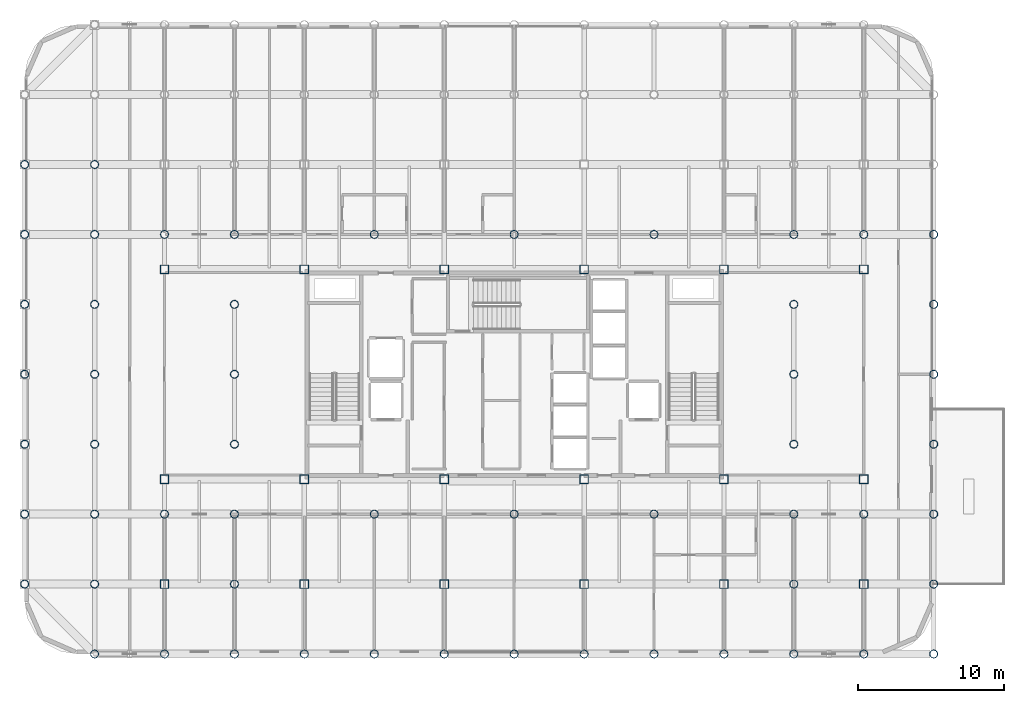
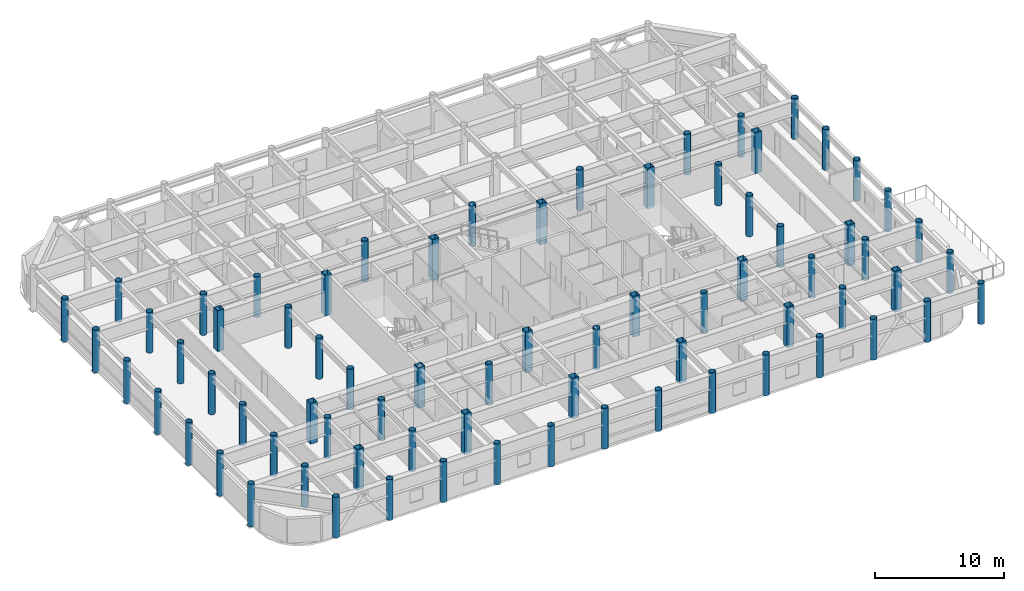
# One storey, part 1 of 25: 73 columns.
"""IFC4 building model written with IfcOpenShell, lengths in metres."""

from ifc_helpers import new_model, si_unit, direction, frame, origin, origin_2d, place, context, subcontext, project, spatial, hollow_rectangle, hollow_circle, extrude, material, material_profile, profile_set, type_object, element, save


model = new_model("IFC4")

# Units and contexts
model_context = context("Model", 3, precision=1e-05, world=origin(), true_north=direction((0.0, 1.0)))
body_context = subcontext(model_context, "Body", "Model", "MODEL_VIEW")
ifc_project = project(units=[si_unit("LENGTHUNIT", "METRE"), si_unit("AREAUNIT", "SQUARE_METRE"), si_unit("VOLUMEUNIT", "CUBIC_METRE"), si_unit("PLANEANGLEUNIT", "RADIAN"), si_unit("MASSUNIT", "GRAM", prefix="KILO")], contexts=[model_context])

# Site, building, storey
site_placement = place(None, origin())
site = spatial("IfcSite", under=ifc_project, at=site_placement, CompositionType="ELEMENT")
building_placement = place(site_placement, origin())
building = spatial("IfcBuilding", under=site, at=building_placement, Name="Kallvorn Hotel Tower", CompositionType="ELEMENT")
storey_placement = place(building_placement, frame((0.0, 0.0, 249.25)))
storey = spatial("IfcBuildingStorey", under=building, at=storey_placement, Name="L62", CompositionType="ELEMENT", Elevation=249.25)

# Columns
ifc_material_1 = material(Name="Structural steel S355J2H", Category="steel")
ifc_material_profile_1 = material_profile(ifc_material_1, hollow_circle(Radius=0.279541015625, WallThickness=0.02490234375, at=origin_2d()), Name="CHS 559x25")
ifc_profile_set_1 = profile_set([ifc_material_profile_1], Name="Structural steel S355J2H")
column_type_1 = type_object("IfcColumnType", Name="COL_CHS_559", PredefinedType="COLUMN", material=ifc_profile_set_1)
for number, where, z_axis, x_axis, name in (
    (1, (-33.60009765625, -14.39990234375, -0.179931640625), (0.0, 0.0, 1.0), (1.0, 0.0, 0.0), "L62 Exoskeleton Column EC01"),
    (2, (-33.60009765625, -9.60009765625, -0.179931640625), (0.0, 0.0, 1.0), (1.0, 0.0, 0.0), "L62 Exoskeleton Column EC02"),
    (3, (-33.60009765625, -4.800048828125, -0.179931640625), (0.0, 0.0, 1.0), (1.0, 0.0, 0.0), "L62 Exoskeleton Column EC03"),
    (4, (-33.60009765625, 0.0, -0.179931640625), (0.0, 0.0, 1.0), (1.0, 0.0, 0.0), "L62 Exoskeleton Column EC04"),
    (5, (-33.60009765625, 4.800048828125, -0.179931640625), (0.0, 0.0, 1.0), (1.0, 0.0, 0.0), "L62 Exoskeleton Column EC05"),
    (6, (-33.60009765625, 9.60009765625, -0.179931640625), (0.0, 0.0, 1.0), (1.0, 0.0, 0.0), "L62 Exoskeleton Column EC06"),
    (7, (-33.60009765625, 14.39990234375, -0.179931640625), (0.0, 0.0, 1.0), (1.0, 0.0, 0.0), "L62 Exoskeleton Column EC07"),
):
    element("IfcColumn", number, at=place(storey_placement, frame(where, z_axis=z_axis, x_axis=x_axis)), inside=storey, type_object=column_type_1, Name=name, PredefinedType="COLUMN", context=body_context, shape_type="SweptSolid", body=[
        extrude(hollow_circle(Radius=0.279541015625, WallThickness=0.02490234375, at=origin_2d()), origin(), (0.0, 0.0, 1.0), 4.030029296875),
    ])
for number, where, z_axis, x_axis, name in (
    (8, (-28.800048828125, -19.199951171875, 0.0), (0.0, 0.0, 1.0), (1.0, 0.0, 0.0), "L62 Exoskeleton Column EC09"),
    (9, (-28.800048828125, -14.39990234375, 0.0), (0.0, 0.0, 1.0), (1.0, 0.0, 0.0), "L62 Exoskeleton Column EC10"),
    (10, (-28.800048828125, -9.60009765625, 0.0), (0.0, 0.0, 1.0), (1.0, 0.0, 0.0), "L62 Exoskeleton Column EC11"),
    (11, (-28.800048828125, -4.800048828125, 0.0), (0.0, 0.0, 1.0), (1.0, 0.0, 0.0), "L62 Exoskeleton Column EC12"),
    (12, (-28.800048828125, 0.0, 0.0), (0.0, 0.0, 1.0), (1.0, 0.0, 0.0), "L62 Exoskeleton Column EC13"),
    (13, (-28.800048828125, 4.800048828125, 0.0), (0.0, 0.0, 1.0), (1.0, 0.0, 0.0), "L62 Exoskeleton Column EC14"),
    (14, (-28.800048828125, 9.60009765625, 0.0), (0.0, 0.0, 1.0), (1.0, 0.0, 0.0), "L62 Exoskeleton Column EC15"),
    (15, (-28.800048828125, 14.39990234375, 0.0), (0.0, 0.0, 1.0), (1.0, 0.0, 0.0), "L62 Exoskeleton Column EC16"),
    (16, (-24.0, -19.199951171875, 0.0), (0.0, 0.0, 1.0), (1.0, 0.0, 0.0), "L62 Exoskeleton Column EC19"),
    (17, (-24.0, -9.60009765625, 0.0), (0.0, 0.0, 1.0), (1.0, 0.0, 0.0), "L62 Exoskeleton Column EC20"),
    (18, (-24.0, 9.60009765625, 0.0), (0.0, 0.0, 1.0), (1.0, 0.0, 0.0), "L62 Exoskeleton Column EC21"),
    (19, (-19.199951171875, -19.199951171875, 0.0), (0.0, 0.0, 1.0), (1.0, 0.0, 0.0), "L62 Exoskeleton Column EC24"),
    (20, (-19.199951171875, -14.39990234375, 0.0), (0.0, 0.0, 1.0), (1.0, 0.0, 0.0), "L62 Exoskeleton Column EC25"),
    (21, (-19.199951171875, -9.60009765625, 0.0), (0.0, 0.0, 1.0), (1.0, 0.0, 0.0), "L62 Exoskeleton Column EC26"),
    (22, (-19.199951171875, -4.800048828125, 0.0), (0.0, 0.0, 1.0), (1.0, 0.0, 0.0), "L62 Exoskeleton Column EC27"),
    (23, (-19.199951171875, 0.0, 0.0), (0.0, 0.0, 1.0), (1.0, 0.0, 0.0), "L62 Exoskeleton Column EC28"),
    (24, (-19.199951171875, 4.800048828125, 0.0), (0.0, 0.0, 1.0), (1.0, 0.0, 0.0), "L62 Exoskeleton Column EC29"),
    (25, (-19.199951171875, 9.60009765625, 0.0), (0.0, 0.0, 1.0), (1.0, 0.0, 0.0), "L62 Exoskeleton Column EC30"),
    (26, (-14.39990234375, -19.199951171875, 0.0), (0.0, 0.0, 1.0), (1.0, 0.0, 0.0), "L62 Exoskeleton Column EC34"),
    (27, (-9.60009765625, -19.199951171875, 0.0), (0.0, 0.0, 1.0), (1.0, 0.0, 0.0), "L62 Exoskeleton Column EC37"),
    (28, (-9.60009765625, -9.60009765625, 0.0), (0.0, 0.0, 1.0), (1.0, 0.0, 0.0), "L62 Exoskeleton Column EC38"),
    (29, (-9.60009765625, 9.60009765625, 0.0), (0.0, 0.0, 1.0), (1.0, 0.0, 0.0), "L62 Exoskeleton Column EC39"),
    (30, (-4.800048828125, -19.199951171875, 0.0), (0.0, 0.0, 1.0), (1.0, 0.0, 0.0), "L62 Exoskeleton Column EC42"),
    (31, (0.0, -19.199951171875, 0.0), (0.0, 0.0, 1.0), (1.0, 0.0, 0.0), "L62 Exoskeleton Column EC45"),
    (32, (0.0, -9.60009765625, 0.0), (0.0, 0.0, 1.0), (1.0, 0.0, 0.0), "L62 Exoskeleton Column EC46"),
    (33, (0.0, 9.60009765625, 0.0), (0.0, 0.0, 1.0), (1.0, 0.0, 0.0), "L62 Exoskeleton Column EC47"),
    (34, (4.800048828125, -19.199951171875, 0.0), (0.0, 0.0, 1.0), (1.0, 0.0, 0.0), "L62 Exoskeleton Column EC50"),
    (35, (9.60009765625, -19.199951171875, 0.0), (0.0, 0.0, 1.0), (1.0, 0.0, 0.0), "L62 Exoskeleton Column EC53"),
    (36, (9.60009765625, -9.60009765625, 0.0), (0.0, 0.0, 1.0), (1.0, 0.0, 0.0), "L62 Exoskeleton Column EC54"),
    (37, (9.60009765625, 9.60009765625, 0.0), (0.0, 0.0, 1.0), (1.0, 0.0, 0.0), "L62 Exoskeleton Column EC55"),
    (38, (14.39990234375, -19.199951171875, 0.0), (0.0, 0.0, 1.0), (1.0, 0.0, 0.0), "L62 Exoskeleton Column EC58"),
    (39, (19.199951171875, -19.199951171875, 0.0), (0.0, 0.0, 1.0), (1.0, 0.0, 0.0), "L62 Exoskeleton Column EC61"),
    (40, (19.199951171875, -14.39990234375, 0.0), (0.0, 0.0, 1.0), (1.0, 0.0, 0.0), "L62 Exoskeleton Column EC62"),
    (41, (19.199951171875, -9.60009765625, 0.0), (0.0, 0.0, 1.0), (1.0, 0.0, 0.0), "L62 Exoskeleton Column EC63"),
    (42, (19.199951171875, -4.800048828125, 0.0), (0.0, 0.0, 1.0), (1.0, 0.0, 0.0), "L62 Exoskeleton Column EC64"),
    (43, (19.199951171875, 0.0, 0.0), (0.0, 0.0, 1.0), (1.0, 0.0, 0.0), "L62 Exoskeleton Column EC65"),
    (44, (19.199951171875, 4.800048828125, 0.0), (0.0, 0.0, 1.0), (1.0, 0.0, 0.0), "L62 Exoskeleton Column EC66"),
    (45, (19.199951171875, 9.60009765625, 0.0), (0.0, 0.0, 1.0), (1.0, 0.0, 0.0), "L62 Exoskeleton Column EC67"),
    (46, (24.0, -19.199951171875, 0.0), (0.0, 0.0, 1.0), (1.0, 0.0, 0.0), "L62 Exoskeleton Column EC71"),
    (47, (24.0, -9.60009765625, 0.0), (0.0, 0.0, 1.0), (1.0, 0.0, 0.0), "L62 Exoskeleton Column EC72"),
    (48, (24.0, 9.60009765625, 0.0), (0.0, 0.0, 1.0), (1.0, 0.0, 0.0), "L62 Exoskeleton Column EC73"),
    (49, (28.800048828125, -19.199951171875, 0.0), (0.0, 0.0, 1.0), (1.0, 0.0, 0.0), "L62 Exoskeleton Column EC76"),
    (50, (28.800048828125, -14.39990234375, 0.0), (0.0, 0.0, 1.0), (1.0, 0.0, 0.0), "L62 Exoskeleton Column EC77"),
    (51, (28.800048828125, -9.60009765625, 0.0), (0.0, 0.0, 1.0), (1.0, 0.0, 0.0), "L62 Exoskeleton Column EC78"),
    (52, (28.800048828125, -4.800048828125, 0.0), (0.0, 0.0, 1.0), (1.0, 0.0, 0.0), "L62 Exoskeleton Column EC79"),
    (53, (28.800048828125, 0.0, 0.0), (0.0, 0.0, 1.0), (1.0, 0.0, 0.0), "L62 Exoskeleton Column EC80"),
    (54, (28.800048828125, 4.800048828125, 0.0), (0.0, 0.0, 1.0), (1.0, 0.0, 0.0), "L62 Exoskeleton Column EC81"),
    (55, (28.800048828125, 9.60009765625, 0.0), (0.0, 0.0, 1.0), (1.0, 0.0, 0.0), "L62 Exoskeleton Column EC82"),
):
    element("IfcColumn", number, at=place(storey_placement, frame(where, z_axis=z_axis, x_axis=x_axis)), inside=storey, type_object=column_type_1, Name=name, PredefinedType="COLUMN", context=body_context, shape_type="SweptSolid", body=[
        extrude(hollow_circle(Radius=0.279541015625, WallThickness=0.02490234375, at=origin_2d()), origin(), (0.0, 0.0, 1.0), 3.85009765625),
    ])
ifc_material_2 = material(Name="Structural steel S355J2H", Category="steel")
ifc_material_profile_2 = material_profile(ifc_material_2, hollow_rectangle(XDim=0.60009765625, YDim=0.60009765625, WallThickness=0.028076171875, at=origin_2d()), Name="RHS 600x600x28")
ifc_profile_set_2 = profile_set([ifc_material_profile_2], Name="Structural steel S355J2H")
column_type_2 = type_object("IfcColumnType", Name="COL_RHS_600", PredefinedType="COLUMN", material=ifc_profile_set_2)
for number, where, z_axis, x_axis, name in (
    (56, (-24.0, -14.39990234375, 0.0), (0.0, 0.0, 1.0), (1.0, 0.0, 0.0), "L62 Inner Column IC01"),
    (57, (-24.0, -7.199951171875, 0.0), (0.0, 0.0, 1.0), (1.0, 0.0, 0.0), "L62 Inner Column IC02"),
    (58, (-24.0, 7.199951171875, 0.0), (0.0, 0.0, 1.0), (1.0, 0.0, 0.0), "L62 Inner Column IC03"),
    (59, (-14.39990234375, -14.39990234375, 0.0), (0.0, 0.0, 1.0), (1.0, 0.0, 0.0), "L62 Inner Column IC05"),
    (60, (-14.39990234375, -7.199951171875, 0.0), (0.0, 0.0, 1.0), (1.0, 0.0, 0.0), "L62 Inner Column IC06"),
    (61, (-14.39990234375, 7.199951171875, 0.0), (0.0, 0.0, 1.0), (1.0, 0.0, 0.0), "L62 Inner Column IC07"),
    (62, (-4.800048828125, -14.39990234375, 0.0), (0.0, 0.0, 1.0), (1.0, 0.0, 0.0), "L62 Inner Column IC09"),
    (63, (-4.800048828125, -7.199951171875, 0.0), (0.0, 0.0, 1.0), (1.0, 0.0, 0.0), "L62 Inner Column IC10"),
    (64, (-4.800048828125, 7.199951171875, 0.0), (0.0, 0.0, 1.0), (1.0, 0.0, 0.0), "L62 Inner Column IC11"),
    (65, (4.800048828125, -14.39990234375, 0.0), (0.0, 0.0, 1.0), (1.0, 0.0, 0.0), "L62 Inner Column IC13"),
    (66, (4.800048828125, -7.199951171875, 0.0), (0.0, 0.0, 1.0), (1.0, 0.0, 0.0), "L62 Inner Column IC14"),
    (67, (4.800048828125, 7.199951171875, 0.0), (0.0, 0.0, 1.0), (1.0, 0.0, 0.0), "L62 Inner Column IC15"),
    (68, (14.39990234375, -14.39990234375, 0.0), (0.0, 0.0, 1.0), (1.0, 0.0, 0.0), "L62 Inner Column IC17"),
    (69, (14.39990234375, -7.199951171875, 0.0), (0.0, 0.0, 1.0), (1.0, 0.0, 0.0), "L62 Inner Column IC18"),
    (70, (14.39990234375, 7.199951171875, 0.0), (0.0, 0.0, 1.0), (1.0, 0.0, 0.0), "L62 Inner Column IC19"),
    (71, (24.0, -14.39990234375, 0.0), (0.0, 0.0, 1.0), (1.0, 0.0, 0.0), "L62 Inner Column IC21"),
    (72, (24.0, -7.199951171875, 0.0), (0.0, 0.0, 1.0), (1.0, 0.0, 0.0), "L62 Inner Column IC22"),
    (73, (24.0, 7.199951171875, 0.0), (0.0, 0.0, 1.0), (1.0, 0.0, 0.0), "L62 Inner Column IC23"),
):
    element("IfcColumn", number, at=place(storey_placement, frame(where, z_axis=z_axis, x_axis=x_axis)), inside=storey, type_object=column_type_2, Name=name, PredefinedType="COLUMN", context=body_context, shape_type="SweptSolid", body=[
        extrude(hollow_rectangle(XDim=0.60009765625, YDim=0.60009765625, WallThickness=0.028076171875, at=origin_2d()), origin(), (0.0, 0.0, 1.0), 3.85009765625),
    ])

save(model, "model.ifc")
